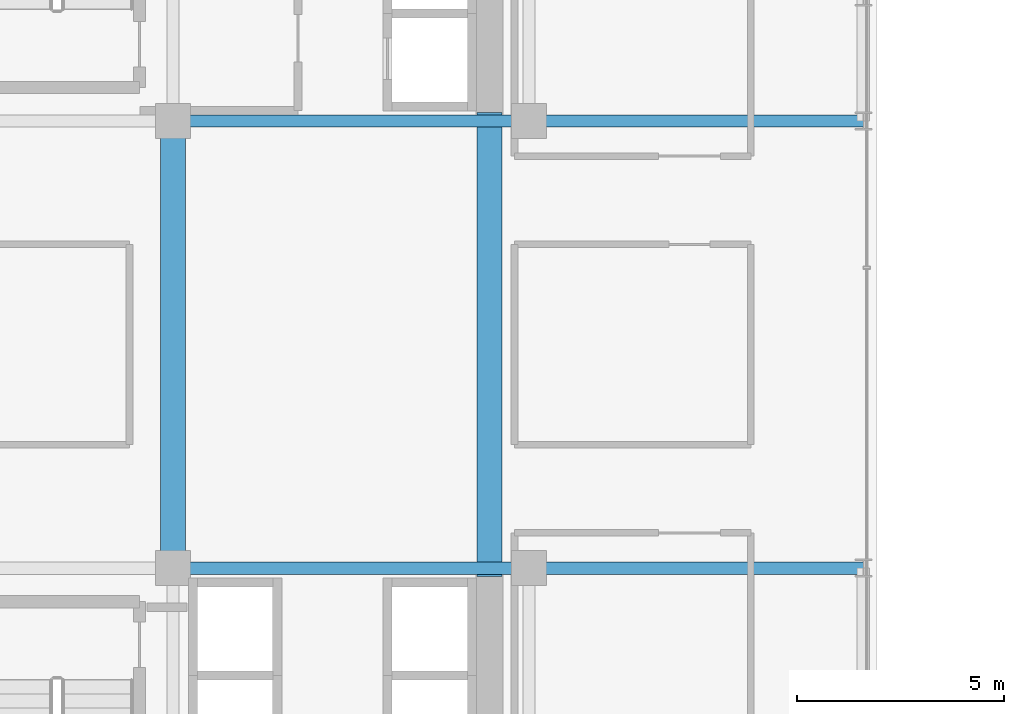
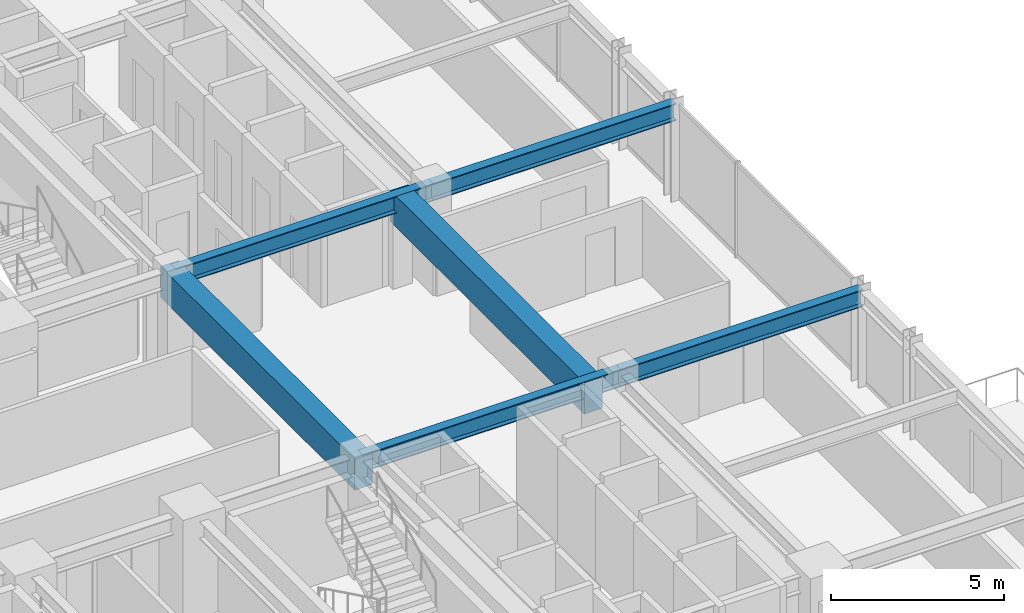
# One storey, part 16 of 35: 6 beams.
"""IFC4 building model written with IfcOpenShell, lengths in metres."""

from ifc_helpers import new_model, si_unit, direction, frame, origin, origin_2d, place, context, subcontext, project, spatial, rectangle, i_section, extrude, source, transform, mapped, material, material_profile, profile_set, type_object, element, save


model = new_model("IFC4")

# Units and contexts
model_context = context("Model", 3, precision=1e-05, world=origin(), true_north=direction((0.0, 1.0)))
body_context = subcontext(model_context, "Body", "Model", "MODEL_VIEW")
ifc_project = project(units=[si_unit("LENGTHUNIT", "METRE"), si_unit("AREAUNIT", "SQUARE_METRE"), si_unit("VOLUMEUNIT", "CUBIC_METRE"), si_unit("PLANEANGLEUNIT", "RADIAN"), si_unit("MASSUNIT", "GRAM", prefix="KILO")], contexts=[model_context])

# Site, building, storey
site_placement = place(None, origin())
site = spatial("IfcSite", under=ifc_project, at=site_placement, CompositionType="ELEMENT")
building_placement = place(site_placement, origin())
building = spatial("IfcBuilding", under=site, at=building_placement, Name="Nahalor Promenade Grand Hotel", CompositionType="ELEMENT")
storey_placement = place(building_placement, frame((0.0, 0.0, 39.699951171875)))
storey = spatial("IfcBuildingStorey", under=building, at=storey_placement, Name="L08", CompositionType="ELEMENT", Elevation=39.699951171875)

# Beams
ifc_material_1 = material(Name="Concrete B-60 (C50/60)", Category="concrete")
ifc_material_profile_1 = material_profile(ifc_material_1, rectangle(XDim=0.6, YDim=1.1, at=origin_2d()), Name="RC 600x1100")
ifc_profile_set_1 = profile_set([ifc_material_profile_1], Name="Concrete B-60 (C50/60)")
beam_type_1 = type_object("IfcBeamType", Name="Beam-Lintel-RC1100", PredefinedType="LINTEL", material=ifc_profile_set_1)
shared_shape_1 = source(origin(), body_context, "Body", "SweptSolid", [
    extrude(rectangle(XDim=0.6, YDim=1.1, at=origin_2d()), origin(), (0.0, 0.0, 1.0), 11.2001953125),
])
for number, where, z_axis, x_axis, name in (
    (1, (8.39990234375, -5.60009765625, 2.820068359375), (0.0, 1.0, 0.0), (-1.0, 0.0, 0.0), "BM-L08-LINT-W"),
    (2, (16.050048828125, -5.60009765625, 2.820068359375), (0.0, 1.0, 0.0), (-1.0, 0.0, 0.0), "BM-L08-LINT-E"),
):
    element("IfcBeam", number, at=place(storey_placement, frame(where, z_axis=z_axis, x_axis=x_axis)), inside=storey, type_object=beam_type_1, Name=name, PredefinedType="LINTEL", context=body_context, shape_type="MappedRepresentation", body=[
        mapped(shared_shape_1, transform((0.0, 0.0, 0.0), scale=1.0)),
    ])
ifc_material_2 = material(Name="Steel S355JR", Category="steel")
ifc_material_profile_2 = material_profile(ifc_material_2, i_section(OverallWidth=0.3, OverallDepth=0.6, WebThickness=0.0155, FlangeThickness=0.03, at=origin_2d()), Name="HEB 600")
ifc_profile_set_2 = profile_set([ifc_material_profile_2], Name="Steel S355JR")
beam_type_2 = type_object("IfcBeamType", Name="Beam-Girder-HEB600", PredefinedType="BEAM", material=ifc_profile_set_2)
shared_shape_2 = source(origin(), body_context, "Body", "SweptSolid", [
    extrude(i_section(OverallWidth=0.3, OverallDepth=0.6, WebThickness=0.0155, FlangeThickness=0.03, at=origin_2d()), origin(), (0.0, 0.0, 1.0), 8.60009765625),
])
for number, where, z_axis, x_axis, name in (
    (3, (8.39990234375, -5.39990234375, 3.070068359375), (1.0, 0.0, 0.0), (0.0, 1.0, 0.0), "BM-L08-GX-1-5"),
    (4, (8.39990234375, 5.39990234375, 3.070068359375), (1.0, 0.0, 0.0), (0.0, 1.0, 0.0), "BM-L08-GX-2-5"),
):
    element("IfcBeam", number, at=place(storey_placement, frame(where, z_axis=z_axis, x_axis=x_axis)), inside=storey, type_object=beam_type_2, Name=name, PredefinedType="BEAM", context=body_context, shape_type="MappedRepresentation", body=[
        mapped(shared_shape_2, transform((0.0, 0.0, 0.0), scale=1.0)),
    ])
shared_shape_3 = source(origin(), body_context, "Body", "SweptSolid", [
    extrude(i_section(OverallWidth=0.3, OverallDepth=0.6, WebThickness=0.0155, FlangeThickness=0.03, at=origin_2d()), origin(), (0.0, 0.0, 1.0), 8.080078125),
])
for number, where, z_axis, x_axis, name in (
    (5, (17.0, -5.39990234375, 3.070068359375), (1.0, 0.0, 0.0), (0.0, 1.0, 0.0), "BM-L08-GX-1-6"),
    (6, (17.0, 5.39990234375, 3.070068359375), (1.0, 0.0, 0.0), (0.0, 1.0, 0.0), "BM-L08-GX-2-6"),
):
    element("IfcBeam", number, at=place(storey_placement, frame(where, z_axis=z_axis, x_axis=x_axis)), inside=storey, type_object=beam_type_2, Name=name, PredefinedType="BEAM", context=body_context, shape_type="MappedRepresentation", body=[
        mapped(shared_shape_3, transform((0.0, 0.0, 0.0), scale=1.0)),
    ])

save(model, "model.ifc")
